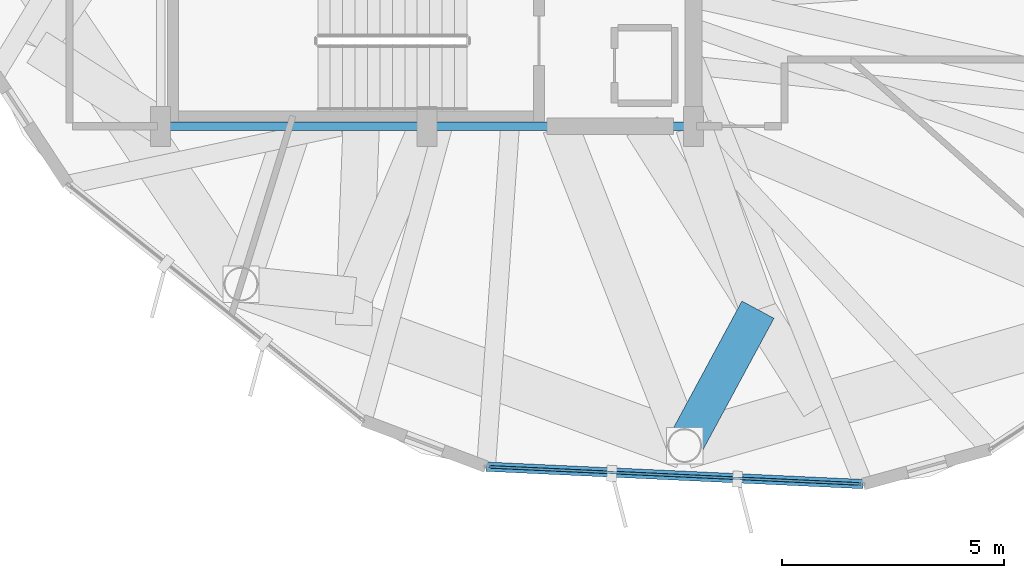
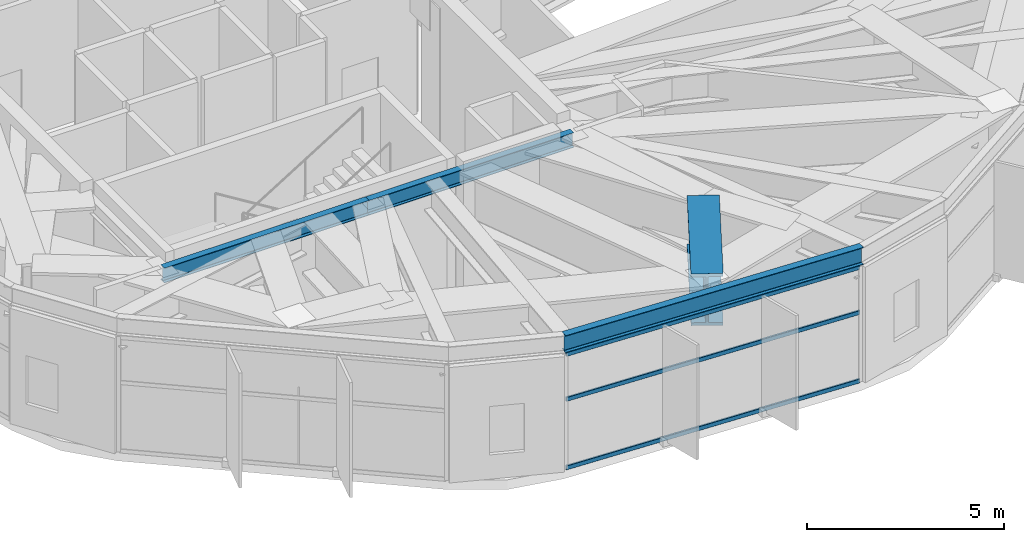
# One storey, part 5 of 27: 4 beams, 3 members, 1 element without a shape of its own.
"""IFC4 building model written with IfcOpenShell, lengths in metres."""

from ifc_helpers import new_model, si_unit, direction, frame, origin, origin_2d, place, context, subcontext, project, spatial, hollow_rectangle, i_section, extrude, material, layer, layer_set, material_profile, profile_set, type_object, element, aggregate, save


model = new_model("IFC4")

# Units and contexts
model_context = context("Model", 3, precision=1e-05, world=origin(), true_north=direction((0.0, 1.0)))
body_context = subcontext(model_context, "Body", "Model", "MODEL_VIEW")
ifc_project = project(units=[si_unit("LENGTHUNIT", "METRE"), si_unit("AREAUNIT", "SQUARE_METRE"), si_unit("VOLUMEUNIT", "CUBIC_METRE"), si_unit("PLANEANGLEUNIT", "RADIAN"), si_unit("MASSUNIT", "GRAM", prefix="KILO")], contexts=[model_context])

# Site, building, storey
site_placement = place(None, origin())
site = spatial("IfcSite", under=ifc_project, at=site_placement, CompositionType="ELEMENT")
building_placement = place(site_placement, origin())
building = spatial("IfcBuilding", under=site, at=building_placement, Name="Soratama Intermodal Tower", CompositionType="ELEMENT")
storey_placement = place(building_placement, frame((0.0, 0.0, 288.550048828125)))
storey = spatial("IfcBuildingStorey", under=building, at=storey_placement, Name="L73", CompositionType="ELEMENT", Elevation=288.550048828125)

# Beams
ifc_material_1 = material(Name="Structural steel ASTM A992 Grade 50", Category="steel")
ifc_material_profile_1 = material_profile(ifc_material_1, i_section(OverallWidth=0.19091796875, OverallDepth=0.4599609375, WebThickness=0.010009765625, FlangeThickness=0.01611328125, FilletRadius=0.010986328125, at=origin_2d()), Name="W18X55")
ifc_profile_set_1 = profile_set([ifc_material_profile_1], Name="Structural steel ASTM A992 Grade 50")
beam_type_1 = type_object("IfcBeamType", Name="BM-FLR-W18X55", PredefinedType="BEAM", material=ifc_profile_set_1)
for number, where, z_axis, x_axis, name in (
    (1, (32.60009765625, 15.0, 3.96484375), (1.0, 0.0, 0.0), (0.0, 1.0, 0.0), "BM-L73-CRING-01"),
    (2, (38.60009765625, 15.0, 3.96484375), (1.0, 0.0, 0.0), (0.0, 1.0, 0.0), "BM-L73-CRING-02"),
):
    element("IfcBeam", number, at=place(storey_placement, frame(where, z_axis=z_axis, x_axis=x_axis)), inside=storey, type_object=beam_type_1, Name=name, PredefinedType="BEAM", context=body_context, shape_type="SweptSolid", body=[
        extrude(i_section(OverallWidth=0.19091796875, OverallDepth=0.4599609375, WebThickness=0.010009765625, FlangeThickness=0.01611328125, FilletRadius=0.010986328125, at=origin_2d()), origin(), (0.0, 0.0, 1.0), 6.0),
    ])
ifc_material_2 = material(Name="Structural steel ASTM A992 Grade 50", Category="steel")
ifc_material_profile_2 = material_profile(ifc_material_2, i_section(OverallWidth=0.2099609375, OverallDepth=0.537109375, WebThickness=0.010986328125, FlangeThickness=0.017333984375, FilletRadius=0.012939453125, at=origin_2d()), Name="W21X68")
ifc_profile_set_2 = profile_set([ifc_material_profile_2], Name="Structural steel ASTM A992 Grade 50")
beam_type_2 = type_object("IfcBeamType", Name="BM-SPN-W21X68", PredefinedType="SPANDREL", material=ifc_profile_set_2)
beam_1_placement = place(storey_placement, frame((39.930908203125, 7.3349609375, 3.926513671875), z_axis=(0.998936915087, -0.046098152637, 0.0), x_axis=(0.046098152637, 0.998936915087, 0.0)))
element("IfcBeam", 3, at=beam_1_placement, inside=storey, type_object=beam_type_2, Name="BS-L73-F06", PredefinedType="SPANDREL", context=body_context, shape_type="SweptSolid", body=[
    extrude(i_section(OverallWidth=0.2099609375, OverallDepth=0.537109375, WebThickness=0.010986328125, FlangeThickness=0.017333984375, FilletRadius=0.012939453125, at=origin_2d()), origin(), (0.0, 0.0, 1.0), 8.500244140625),
])
ifc_material_3 = material(Name="Structural steel ASTM A992 Grade 50", Category="steel")
ifc_material_profile_3 = material_profile(ifc_material_3, i_section(OverallWidth=0.820068359375, OverallDepth=1.60205078125, WebThickness=0.055908203125, FlangeThickness=0.092041015625, FilletRadius=0.02392578125, at=origin_2d()), Name="PG1600X650")
ifc_profile_set_3 = profile_set([ifc_material_profile_3], Name="Structural steel ASTM A992 Grade 50")
beam_type_3 = type_object("IfcBeamType", Name="BM-ZSTEP-PG1600", PredefinedType="BEAM", material=ifc_profile_set_3)
beam_2_placement = place(storey_placement, frame((44.39990234375, 7.81103515625, 3.39404296875), z_axis=(0.475192408747, 0.879881909502, 0.0), x_axis=(-0.879881909502, 0.475192408747, 0.0)))
element("IfcBeam", 4, at=beam_2_placement, inside=storey, type_object=beam_type_3, Name="BM-L73-ZSTEP-A08", PredefinedType="BEAM", context=body_context, shape_type="SweptSolid", body=[
    extrude(i_section(OverallWidth=0.820068359375, OverallDepth=1.60205078125, WebThickness=0.055908203125, FlangeThickness=0.092041015625, FilletRadius=0.02392578125, at=origin_2d()), origin(), (0.0, 0.0, 1.0), 3.476806640625),
])

# Curtain wall, members
ifc_material_4 = material(Name="Double-glazed aluminium curtain wall", Category="aluminium")
ifc_layer = layer(ifc_material_4, 0.159912109375)
ifc_layer_set = layer_set([ifc_layer], Name="Double-glazed aluminium curtain wall")
curtain_wall_type = type_object("IfcCurtainWallType", Name="CW-SYS-6", PredefinedType="NOTDEFINED", material=ifc_layer_set)
curtain_wall_placement = place(storey_placement, origin())
curtain_wall = element("IfcCurtainWall", 5, at=curtain_wall_placement, inside=storey, type_object=curtain_wall_type, Name="L73 Faceted Curtain Wall F06", PredefinedType="NOTDEFINED")
ifc_material_5 = material(Name="Anodised aluminium AA 6063-T6", Category="aluminium")
ifc_material_profile_4 = material_profile(ifc_material_5, hollow_rectangle(XDim=0.06005859375, YDim=0.1298828125, WallThickness=0.0048828125, InnerFilletRadius=0.0048828125, OuterFilletRadius=0.010009765625, at=origin_2d()), Name="CWT130X60X5")
ifc_profile_set_4 = profile_set([ifc_material_profile_4], Name="Anodised aluminium AA 6063-T6")
member_type = type_object("IfcMemberType", Name="TT-CWT-2", PredefinedType="USERDEFINED", material=ifc_profile_set_4)
member_1_placement = place(storey_placement, frame((39.990966796875, 7.33203125, 0.030029296875), z_axis=(0.998938590685, -0.046061828444, 0.0), x_axis=(0.046061828444, 0.998938590685, 0.0)))
member_1 = element("IfcMember", 6, at=member_1_placement, type_object=member_type, Name="CW-6 transom 1.1", ObjectType="TRANSOM", PredefinedType="USERDEFINED", context=body_context, shape_type="SweptSolid", body=[
    extrude(hollow_rectangle(XDim=0.06005859375, YDim=0.1298828125, WallThickness=0.0048828125, InnerFilletRadius=0.0048828125, OuterFilletRadius=0.010009765625, at=origin_2d()), origin(), (0.0, 0.0, 1.0), 8.379638671875),
])
member_2_placement = place(storey_placement, frame((39.990966796875, 7.33203125, 2.14990234375), z_axis=(0.998938590685, -0.046061828444, 0.0), x_axis=(0.046061828444, 0.998938590685, 0.0)))
member_2 = element("IfcMember", 7, at=member_2_placement, type_object=member_type, Name="CW-6 transom 1.2", ObjectType="TRANSOM", PredefinedType="USERDEFINED", context=body_context, shape_type="SweptSolid", body=[
    extrude(hollow_rectangle(XDim=0.06005859375, YDim=0.1298828125, WallThickness=0.0048828125, InnerFilletRadius=0.0048828125, OuterFilletRadius=0.010009765625, at=origin_2d()), origin(), (0.0, 0.0, 1.0), 8.379638671875),
])
member_3_placement = place(storey_placement, frame((39.990966796875, 7.33203125, 3.5439453125), z_axis=(0.998938590685, -0.046061828444, 0.0), x_axis=(0.046061828444, 0.998938590685, 0.0)))
member_3 = element("IfcMember", 8, at=member_3_placement, type_object=member_type, Name="CW-6 transom 1.3", ObjectType="TRANSOM", PredefinedType="USERDEFINED", context=body_context, shape_type="SweptSolid", body=[
    extrude(hollow_rectangle(XDim=0.06005859375, YDim=0.1298828125, WallThickness=0.0048828125, InnerFilletRadius=0.0048828125, OuterFilletRadius=0.010009765625, at=origin_2d()), origin(), (0.0, 0.0, 1.0), 8.379638671875),
])
aggregate(curtain_wall, [member_1, member_2, member_3])

save(model, "model.ifc")
